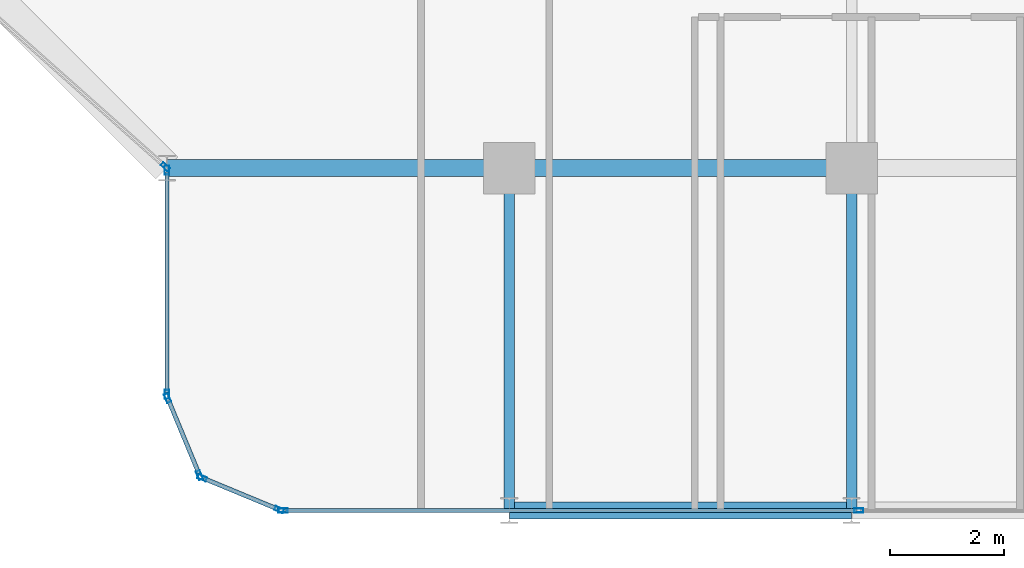
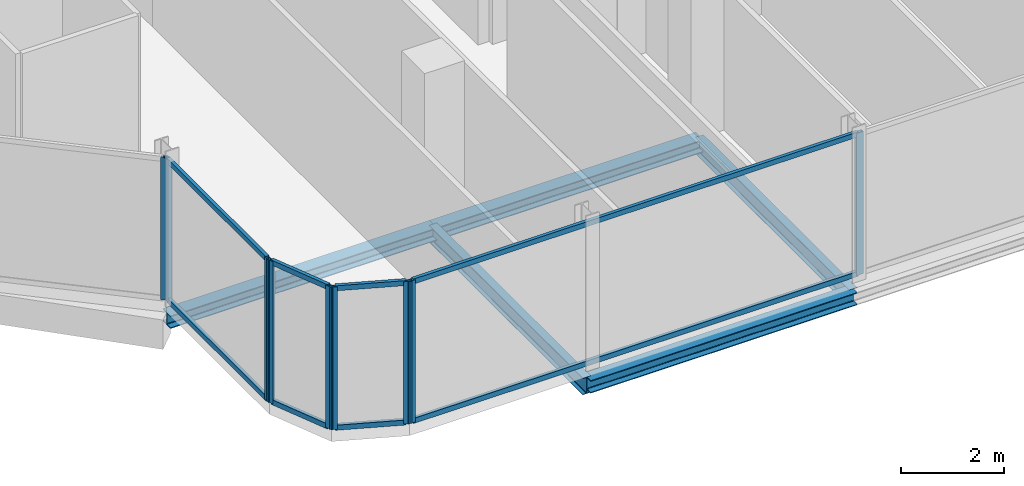
# One storey, part 6 of 29: 17 members, 5 beams, 5 elements without a shape of their own.
"""IFC4 building model written with IfcOpenShell, lengths in metres."""

from ifc_helpers import new_model, si_unit, direction, frame, origin, origin_2d, place, context, subcontext, project, spatial, hollow_rectangle, i_section, extrude, material, layer, layer_set, material_profile, profile_set, type_object, element, aggregate, save


model = new_model("IFC4")

# Units and contexts
model_context = context("Model", 3, precision=1e-05, world=origin(), true_north=direction((0.0, 1.0)))
body_context = subcontext(model_context, "Body", "Model", "MODEL_VIEW")
ifc_project = project(units=[si_unit("LENGTHUNIT", "METRE"), si_unit("AREAUNIT", "SQUARE_METRE"), si_unit("VOLUMEUNIT", "CUBIC_METRE"), si_unit("PLANEANGLEUNIT", "RADIAN"), si_unit("MASSUNIT", "GRAM", prefix="KILO")], contexts=[model_context])

# Site, building, storey
site_placement = place(None, origin())
site = spatial("IfcSite", under=ifc_project, at=site_placement, CompositionType="ELEMENT")
building_placement = place(site_placement, origin())
building = spatial("IfcBuilding", under=site, at=building_placement, Name="Keshet Zoharim Tower", CompositionType="ELEMENT")
storey_placement = place(building_placement, frame((0.0, 0.0, 169.10009765625)))
storey = spatial("IfcBuildingStorey", under=building, at=storey_placement, Name="L41", CompositionType="ELEMENT", Elevation=169.10009765625)

# Beams
ifc_material_1 = material(Name="Steel S355", Category="steel")
ifc_material_profile_1 = material_profile(ifc_material_1, i_section(OverallWidth=0.300048828125, OverallDepth=0.300048828125, WebThickness=0.010986328125, FlangeThickness=0.01904296875, FilletRadius=0.027099609375, at=origin_2d()), Name="HEB300")
ifc_profile_set_1 = profile_set([ifc_material_profile_1], Name="Steel S355")
beam_type_1 = type_object("IfcBeamType", Name="BM-PRI-HB300", PredefinedType="BEAM", material=ifc_profile_set_1)
for number, where, z_axis, x_axis, name in (
    (1, (27.0, 0.699951171875, -0.460205078125), (1.0, 0.0, 0.0), (0.0, 1.0, 0.0), "L41 Primary Girder X-001"),
    (2, (21.0, 6.699951171875, -0.460205078125), (1.0, 0.0, 0.0), (0.0, 1.0, 0.0), "L41 Primary Girder X-005"),
    (3, (27.0, 6.699951171875, -0.460205078125), (1.0, 0.0, 0.0), (0.0, 1.0, 0.0), "L41 Primary Girder X-006"),
):
    element("IfcBeam", number, at=place(storey_placement, frame(where, z_axis=z_axis, x_axis=x_axis)), inside=storey, type_object=beam_type_1, Name=name, PredefinedType="BEAM", context=body_context, shape_type="SweptSolid", body=[
        extrude(i_section(OverallWidth=0.300048828125, OverallDepth=0.300048828125, WebThickness=0.010986328125, FlangeThickness=0.01904296875, FilletRadius=0.027099609375, at=origin_2d()), origin(), (0.0, 0.0, 1.0), 6.0),
    ])
ifc_material_profile_2 = material_profile(ifc_material_1, i_section(OverallWidth=0.179931640625, OverallDepth=0.39990234375, WebThickness=0.008544921875, FlangeThickness=0.013427734375, FilletRadius=0.02099609375, at=origin_2d()), Name="IPE400")
ifc_profile_set_2 = profile_set([ifc_material_profile_2], Name="Steel S355")
beam_type_2 = type_object("IfcBeamType", Name="BM-PRI-IP400", PredefinedType="BEAM", material=ifc_profile_set_2)
for number, where, z_axis, x_axis, name in (
    (4, (27.0, 0.699951171875, -0.510009765625), (0.0, 1.0, 0.0), (-1.0, 0.0, 0.0), "L41 Primary Girder Y-004"),
    (5, (33.0, 0.699951171875, -0.510009765625), (0.0, 1.0, 0.0), (-1.0, 0.0, 0.0), "L41 Primary Girder Y-005"),
):
    element("IfcBeam", number, at=place(storey_placement, frame(where, z_axis=z_axis, x_axis=x_axis)), inside=storey, type_object=beam_type_2, Name=name, PredefinedType="BEAM", context=body_context, shape_type="SweptSolid", body=[
        extrude(i_section(OverallWidth=0.179931640625, OverallDepth=0.39990234375, WebThickness=0.008544921875, FlangeThickness=0.013427734375, FilletRadius=0.02099609375, at=origin_2d()), origin(), (0.0, 0.0, 1.0), 6.0),
    ])

# Curtain wall, members
ifc_material_2 = material(Name="Aluminium 6063-T6", Category="aluminium")
ifc_layer = layer(ifc_material_2, 0.139892578125)
ifc_layer_set = layer_set([ifc_layer], Name="Aluminium 6063-T6")
curtain_wall_type = type_object("IfcCurtainWallType", Name="CW-SYS-05", PredefinedType="NOTDEFINED", material=ifc_layer_set)
curtain_wall_1_placement = place(storey_placement, origin())
curtain_wall_1 = element("IfcCurtainWall", 6, at=curtain_wall_1_placement, inside=storey, type_object=curtain_wall_type, Name="L41 Unitised Curtain Wall 06 Part 3", PredefinedType="NOTDEFINED")
ifc_material_profile_3 = material_profile(ifc_material_2, hollow_rectangle(XDim=0.074951171875, YDim=0.159912109375, WallThickness=0.00390625, at=origin_2d()), Name="MUL-75x160")
ifc_profile_set_3 = profile_set([ifc_material_profile_3], Name="Aluminium 6063-T6")
member_type_1 = type_object("IfcMemberType", Name="CWM-M15", PredefinedType="MULLION", material=ifc_profile_set_3)
member_1_placement = place(storey_placement, frame((33.1259765625, 0.699951171875, 0.0), z_axis=(0.0, 0.0, 1.0), x_axis=(0.0, -1.0, 0.0)))
member_1 = element("IfcMember", 7, at=member_1_placement, type_object=member_type_1, Name="CW-05 mullion 2", PredefinedType="MULLION", context=body_context, shape_type="SweptSolid", body=[
    extrude(hollow_rectangle(XDim=0.074951171875, YDim=0.159912109375, WallThickness=0.00390625, at=origin_2d()), origin(), (0.0, 0.0, 1.0), 3.389892578125),
])
member_2_placement = place(storey_placement, frame((23.034912109375, 0.699951171875, 0.0), z_axis=(0.0, 0.0, 1.0), x_axis=(0.0, -1.0, 0.0)))
member_2 = element("IfcMember", 8, at=member_2_placement, type_object=member_type_1, Name="CW-05 mullion 3", PredefinedType="MULLION", context=body_context, shape_type="SweptSolid", body=[
    extrude(hollow_rectangle(XDim=0.074951171875, YDim=0.159912109375, WallThickness=0.00390625, at=origin_2d()), origin(), (0.0, 0.0, 1.0), 3.389892578125),
])

curtain_wall_2_placement = place(storey_placement, origin())
curtain_wall_2 = element("IfcCurtainWall", 9, at=curtain_wall_2_placement, inside=storey, type_object=curtain_wall_type, Name="L41 Unitised Curtain Wall 07", PredefinedType="NOTDEFINED")
member_3_placement = place(storey_placement, frame((22.9677734375, 0.71337890625, 0.0), z_axis=(0.0, 0.0, 1.0), x_axis=(-0.382851849847, -0.92380975372, 0.0)))
member_3 = element("IfcMember", 10, at=member_3_placement, type_object=member_type_1, Name="CW-05 mullion 1", PredefinedType="MULLION", context=body_context, shape_type="SweptSolid", body=[
    extrude(hollow_rectangle(XDim=0.074951171875, YDim=0.159912109375, WallThickness=0.00390625, at=origin_2d()), origin(), (0.0, 0.0, 1.0), 3.389892578125),
])
member_4_placement = place(storey_placement, frame((21.618408203125, 1.272705078125, 0.0), z_axis=(0.0, 0.0, 1.0), x_axis=(-0.382851849847, -0.92380975372, 0.0)))
member_4 = element("IfcMember", 11, at=member_4_placement, type_object=member_type_1, Name="CW-05 mullion 2", PredefinedType="MULLION", context=body_context, shape_type="SweptSolid", body=[
    extrude(hollow_rectangle(XDim=0.074951171875, YDim=0.159912109375, WallThickness=0.00390625, at=origin_2d()), origin(), (0.0, 0.0, 1.0), 3.389892578125),
])

curtain_wall_3_placement = place(storey_placement, origin())
curtain_wall_3 = element("IfcCurtainWall", 12, at=curtain_wall_3_placement, inside=storey, type_object=curtain_wall_type, Name="L41 Unitised Curtain Wall 08", PredefinedType="NOTDEFINED")
member_5_placement = place(storey_placement, frame((21.572509765625, 1.318359375, 0.0), z_axis=(0.0, 0.0, 1.0), x_axis=(-0.92380975372, -0.382851849847, 0.0)))
member_5 = element("IfcMember", 13, at=member_5_placement, type_object=member_type_1, Name="CW-05 mullion 1", PredefinedType="MULLION", context=body_context, shape_type="SweptSolid", body=[
    extrude(hollow_rectangle(XDim=0.074951171875, YDim=0.159912109375, WallThickness=0.00390625, at=origin_2d()), origin(), (0.0, 0.0, 1.0), 3.389892578125),
])
member_6_placement = place(storey_placement, frame((21.013427734375, 2.667724609375, 0.0), z_axis=(0.0, 0.0, 1.0), x_axis=(-0.92380975372, -0.382851849847, 0.0)))
member_6 = element("IfcMember", 14, at=member_6_placement, type_object=member_type_1, Name="CW-05 mullion 2", PredefinedType="MULLION", context=body_context, shape_type="SweptSolid", body=[
    extrude(hollow_rectangle(XDim=0.074951171875, YDim=0.159912109375, WallThickness=0.00390625, at=origin_2d()), origin(), (0.0, 0.0, 1.0), 3.389892578125),
])

curtain_wall_4_placement = place(storey_placement, origin())
curtain_wall_4 = element("IfcCurtainWall", 15, at=curtain_wall_4_placement, inside=storey, type_object=curtain_wall_type, Name="L41 Unitised Curtain Wall 09", PredefinedType="NOTDEFINED")
member_7_placement = place(storey_placement, frame((21.0, 2.735107421875, 0.0), z_axis=(0.0, 0.0, 1.0), x_axis=(-1.0, 0.0, 0.0)))
member_7 = element("IfcMember", 16, at=member_7_placement, type_object=member_type_1, Name="CW-05 mullion 1", PredefinedType="MULLION", context=body_context, shape_type="SweptSolid", body=[
    extrude(hollow_rectangle(XDim=0.074951171875, YDim=0.159912109375, WallThickness=0.00390625, at=origin_2d()), origin(), (0.0, 0.0, 1.0), 3.389892578125),
])
member_8_placement = place(storey_placement, frame((21.0, 6.6650390625, 0.0), z_axis=(0.0, 0.0, 1.0), x_axis=(-1.0, 0.0, 0.0)))
member_8 = element("IfcMember", 17, at=member_8_placement, type_object=member_type_1, Name="CW-05 mullion 2", PredefinedType="MULLION", context=body_context, shape_type="SweptSolid", body=[
    extrude(hollow_rectangle(XDim=0.074951171875, YDim=0.159912109375, WallThickness=0.00390625, at=origin_2d()), origin(), (0.0, 0.0, 1.0), 3.389892578125),
])

# Curtain wall, member
curtain_wall_5_placement = place(storey_placement, origin())
curtain_wall_5 = element("IfcCurtainWall", 18, at=curtain_wall_5_placement, inside=storey, type_object=curtain_wall_type, Name="L41 Unitised Curtain Wall 10", PredefinedType="NOTDEFINED")
member_9_placement = place(storey_placement, frame((20.973876953125, 6.72314453125, 0.0), z_axis=(0.0, 0.0, 1.0), x_axis=(-0.664367613066, -0.74740596379, 0.0)))
member_9 = element("IfcMember", 19, at=member_9_placement, type_object=member_type_1, Name="CW-05 mullion 1", PredefinedType="MULLION", context=body_context, shape_type="SweptSolid", body=[
    extrude(hollow_rectangle(XDim=0.074951171875, YDim=0.159912109375, WallThickness=0.00390625, at=origin_2d()), origin(), (0.0, 0.0, 1.0), 3.389892578125),
])
aggregate(curtain_wall_5, [member_9])

# Member
ifc_material_profile_4 = material_profile(ifc_material_2, hollow_rectangle(XDim=0.074951171875, YDim=0.1201171875, WallThickness=0.00390625, at=origin_2d()), Name="TRN-75x120")
ifc_profile_set_4 = profile_set([ifc_material_profile_4], Name="Aluminium 6063-T6")
member_type_2 = type_object("IfcMemberType", Name="CWT-T12", PredefinedType="USERDEFINED", material=ifc_profile_set_4)
member_10_placement = place(storey_placement, frame((33.091064453125, 0.699951171875, 0.034912109375), z_axis=(-1.0, 0.0, 0.0), x_axis=(0.0, -1.0, 0.0)))
member_10 = element("IfcMember", 20, at=member_10_placement, type_object=member_type_2, Name="CW-05 transom 2.1", ObjectType="TRANSOM", PredefinedType="USERDEFINED", context=body_context, shape_type="SweptSolid", body=[
    extrude(hollow_rectangle(XDim=0.074951171875, YDim=0.1201171875, WallThickness=0.00390625, at=origin_2d()), origin(), (0.0, 0.0, 1.0), 10.02099609375),
])

member_11_placement = place(storey_placement, frame((33.091064453125, 0.699951171875, 3.35498046875), z_axis=(-1.0, 0.0, 0.0), x_axis=(0.0, -1.0, 0.0)))
member_11 = element("IfcMember", 21, at=member_11_placement, type_object=member_type_2, Name="CW-05 transom 2.2", ObjectType="TRANSOM", PredefinedType="USERDEFINED", context=body_context, shape_type="SweptSolid", body=[
    extrude(hollow_rectangle(XDim=0.074951171875, YDim=0.1201171875, WallThickness=0.00390625, at=origin_2d()), origin(), (0.0, 0.0, 1.0), 10.02099609375),
])

aggregate(curtain_wall_1, [member_1, member_2, member_10, member_11])

member_12_placement = place(storey_placement, frame((22.935302734375, 0.726806640625, 0.034912109375), z_axis=(-0.92379209995, 0.382894445076, 0.0), x_axis=(-0.382894445076, -0.92379209995, 0.0)))
member_12 = element("IfcMember", 22, at=member_12_placement, type_object=member_type_2, Name="CW-05 transom 1.1", ObjectType="TRANSOM", PredefinedType="USERDEFINED", context=body_context, shape_type="SweptSolid", body=[
    extrude(hollow_rectangle(XDim=0.074951171875, YDim=0.1201171875, WallThickness=0.00390625, at=origin_2d()), origin(), (0.0, 0.0, 1.0), 1.390625),
])

member_13_placement = place(storey_placement, frame((22.935302734375, 0.726806640625, 3.35498046875), z_axis=(-0.92379209995, 0.382894445076, 0.0), x_axis=(-0.382894445076, -0.92379209995, 0.0)))
member_13 = element("IfcMember", 23, at=member_13_placement, type_object=member_type_2, Name="CW-05 transom 1.2", ObjectType="TRANSOM", PredefinedType="USERDEFINED", context=body_context, shape_type="SweptSolid", body=[
    extrude(hollow_rectangle(XDim=0.074951171875, YDim=0.1201171875, WallThickness=0.00390625, at=origin_2d()), origin(), (0.0, 0.0, 1.0), 1.390625),
])

aggregate(curtain_wall_2, [member_3, member_4, member_12, member_13])

member_14_placement = place(storey_placement, frame((21.55908203125, 1.3505859375, 0.034912109375), z_axis=(-0.382744609247, 0.923854189844, 0.0), x_axis=(-0.923854189844, -0.382744609247, 0.0)))
member_14 = element("IfcMember", 24, at=member_14_placement, type_object=member_type_2, Name="CW-05 transom 1.1", ObjectType="TRANSOM", PredefinedType="USERDEFINED", context=body_context, shape_type="SweptSolid", body=[
    extrude(hollow_rectangle(XDim=0.074951171875, YDim=0.1201171875, WallThickness=0.00390625, at=origin_2d()), origin(), (0.0, 0.0, 1.0), 1.390625),
])

member_15_placement = place(storey_placement, frame((21.55908203125, 1.3505859375, 3.35498046875), z_axis=(-0.382744609247, 0.923854189844, 0.0), x_axis=(-0.923854189844, -0.382744609247, 0.0)))
member_15 = element("IfcMember", 25, at=member_15_placement, type_object=member_type_2, Name="CW-05 transom 1.2", ObjectType="TRANSOM", PredefinedType="USERDEFINED", context=body_context, shape_type="SweptSolid", body=[
    extrude(hollow_rectangle(XDim=0.074951171875, YDim=0.1201171875, WallThickness=0.00390625, at=origin_2d()), origin(), (0.0, 0.0, 1.0), 1.390625),
])

aggregate(curtain_wall_3, [member_5, member_6, member_14, member_15])

member_16_placement = place(storey_placement, frame((21.0, 2.77001953125, 0.034912109375), z_axis=(0.0, 1.0, 0.0), x_axis=(-1.0, 0.0, 0.0)))
member_16 = element("IfcMember", 26, at=member_16_placement, type_object=member_type_2, Name="CW-05 transom 1.1", ObjectType="TRANSOM", PredefinedType="USERDEFINED", context=body_context, shape_type="SweptSolid", body=[
    extrude(hollow_rectangle(XDim=0.074951171875, YDim=0.1201171875, WallThickness=0.00390625, at=origin_2d()), origin(), (0.0, 0.0, 1.0), 3.85986328125),
])

member_17_placement = place(storey_placement, frame((21.0, 2.77001953125, 3.35498046875), z_axis=(0.0, 1.0, 0.0), x_axis=(-1.0, 0.0, 0.0)))
member_17 = element("IfcMember", 27, at=member_17_placement, type_object=member_type_2, Name="CW-05 transom 1.2", ObjectType="TRANSOM", PredefinedType="USERDEFINED", context=body_context, shape_type="SweptSolid", body=[
    extrude(hollow_rectangle(XDim=0.074951171875, YDim=0.1201171875, WallThickness=0.00390625, at=origin_2d()), origin(), (0.0, 0.0, 1.0), 3.85986328125),
])

aggregate(curtain_wall_4, [member_7, member_8, member_16, member_17])

save(model, "model.ifc")
